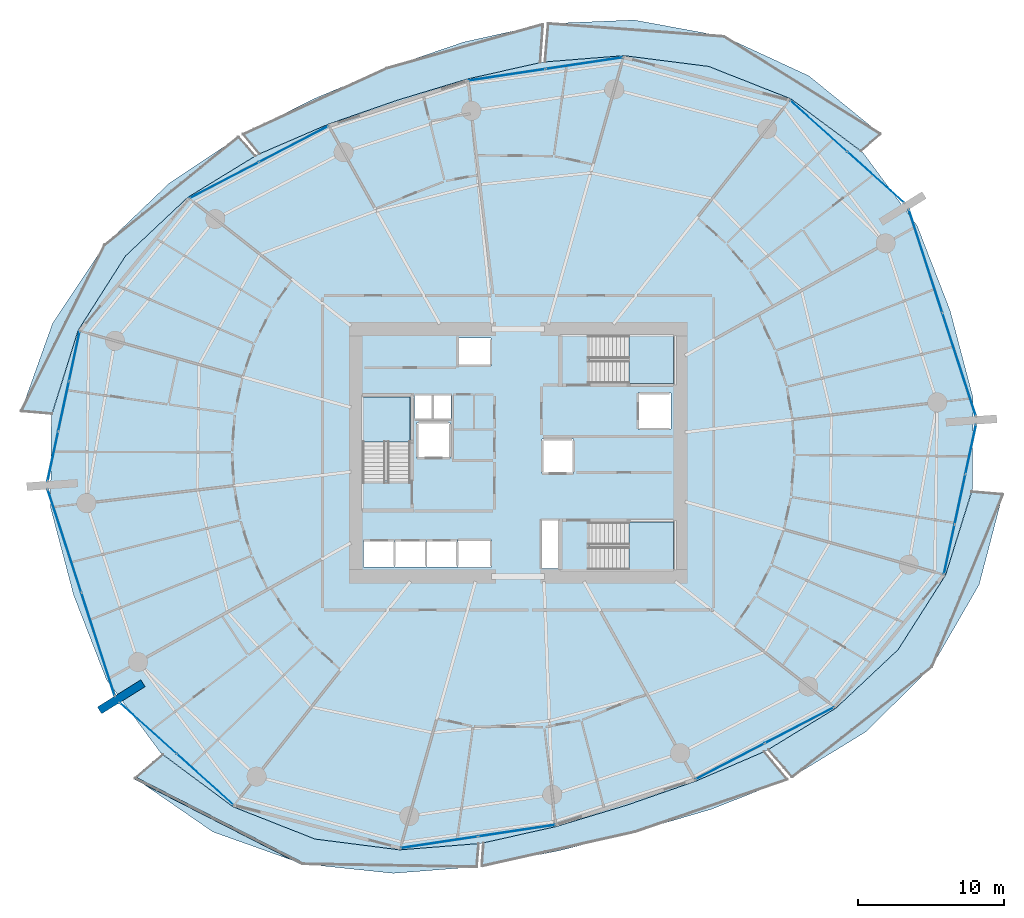
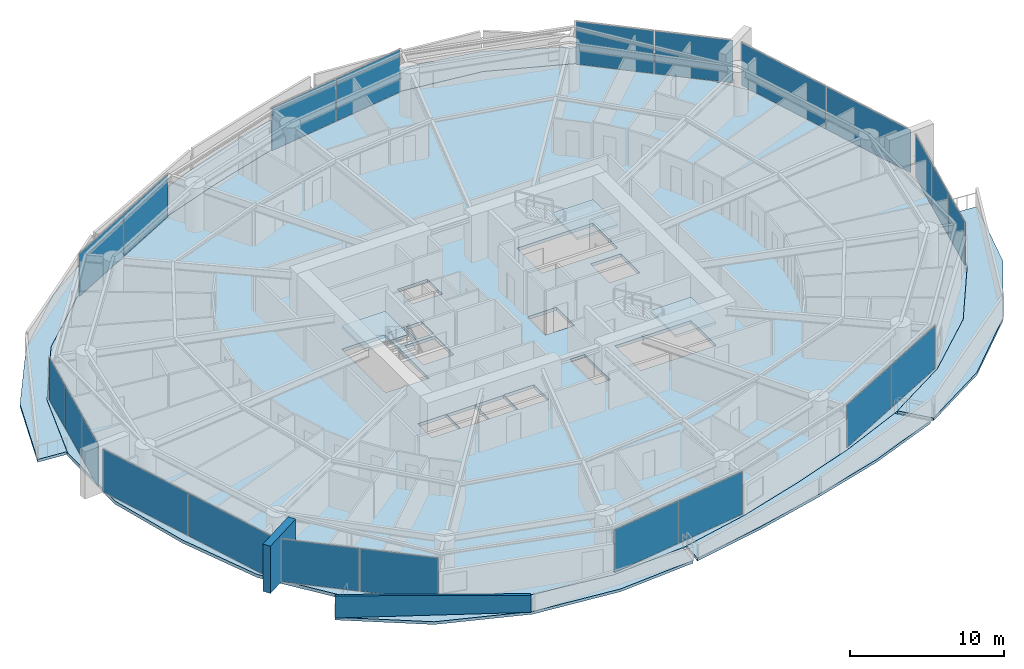
# One storey, part 18 of 32: 22 plates, 10 slabs, 2 walls, 13 elements without a shape of their own.
"""IFC4 building model written with IfcOpenShell, lengths in metres."""

from ifc_helpers import new_model, si_unit, direction, frame, frame_2d, origin, origin_2d, place, context, subcontext, project, spatial, polyline, rectangle, outline, extrude, material, layer, layer_set, type_object, element, aggregate, save


model = new_model("IFC4")

# Units and contexts
model_context = context("Model", 3, precision=1e-05, world=origin(), true_north=direction((0.0, 1.0)))
body_context = subcontext(model_context, "Body", "Model", "MODEL_VIEW")
ifc_project = project(units=[si_unit("LENGTHUNIT", "METRE"), si_unit("AREAUNIT", "SQUARE_METRE"), si_unit("VOLUMEUNIT", "CUBIC_METRE"), si_unit("PLANEANGLEUNIT", "RADIAN"), si_unit("MASSUNIT", "GRAM", prefix="KILO")], contexts=[model_context])

# Site, building, storey
site_placement = place(None, origin())
site = spatial("IfcSite", under=ifc_project, at=site_placement, CompositionType="ELEMENT")
building_placement = place(site_placement, origin())
building = spatial("IfcBuilding", under=site, at=building_placement, Name="Kazma Halo Residences", CompositionType="ELEMENT")
storey_placement = place(building_placement, frame((0.0, 0.0, 63.89990234375)))
storey = spatial("IfcBuildingStorey", under=building, at=storey_placement, Name="L15", CompositionType="ELEMENT", Elevation=63.89990234375)

# Curtain wall, plates
ifc_material_1 = material(Name="Aluminium AW-6063 T6 and Triple-Silver Low-E Glass", Category="aluminium")
ifc_layer_1 = layer(ifc_material_1, 0.159912109375)
ifc_layer_set_1 = layer_set([ifc_layer_1], Name="Aluminium AW-6063 T6 and Triple-Silver Low-E Glass")
curtain_wall_type = type_object("IfcCurtainWallType", Name="CW-SYS-2", PredefinedType="NOTDEFINED", material=ifc_layer_set_1)
curtain_wall_1_placement = place(storey_placement, origin())
curtain_wall_1 = element("IfcCurtainWall", 1, at=curtain_wall_1_placement, inside=storey, type_object=curtain_wall_type, Name="L15 unitised curtain wall B01", PredefinedType="NOTDEFINED")
ifc_material_2 = material(Name="Clear Triple-Silver Low-E Glass IGU", Category="glass")
ifc_layer_2 = layer(ifc_material_2, 0.028076171875)
ifc_layer_set_2 = layer_set([ifc_layer_2], Name="Clear Triple-Silver Low-E Glass IGU")
plate_type = type_object("IfcPlateType", Name="CW-SYS-2-PNL", PredefinedType="CURTAIN_PANEL", material=ifc_layer_set_2)
plate_1_placement = place(storey_placement, frame((72.876953125, 60.841064453125, 0.06005859375), z_axis=(0.0, 0.0, 1.0), x_axis=(-0.744321506993, 0.667821453854, 0.0)))
plate_1 = element("IfcPlate", 2, at=plate_1_placement, type_object=plate_type, Name="CWS-2 panel 1.1", PredefinedType="CURTAIN_PANEL", context=body_context, shape_type="SweptSolid", body=[
    extrude(rectangle(XDim=5.1787109375, YDim=0.028076171875, at=origin_2d()), origin(), (0.0, 0.0, 1.0), 3.3798828125),
])
plate_2_placement = place(storey_placement, frame((68.977783203125, 64.33935546875, 0.06005859375), z_axis=(0.0, 0.0, 1.0), x_axis=(-0.744321506993, 0.667821453854, 0.0)))
plate_2 = element("IfcPlate", 3, at=plate_2_placement, type_object=plate_type, Name="CWS-2 panel 2.1", PredefinedType="CURTAIN_PANEL", context=body_context, shape_type="SweptSolid", body=[
    extrude(rectangle(XDim=5.1787109375, YDim=0.028076171875, at=origin_2d()), origin(), (0.0, 0.0, 1.0), 3.3798828125),
])
aggregate(curtain_wall_1, [plate_1, plate_2])

curtain_wall_2_placement = place(storey_placement, origin())
curtain_wall_2 = element("IfcCurtainWall", 4, at=curtain_wall_2_placement, inside=storey, type_object=curtain_wall_type, Name="L15 unitised curtain wall B03", PredefinedType="NOTDEFINED")
plate_3_placement = place(storey_placement, frame((52.952392578125, 68.64013671875, 0.06005859375), z_axis=(0.0, 0.0, 1.0), x_axis=(-0.988888777994, -0.148657272805, 0.0)))
plate_3 = element("IfcPlate", 5, at=plate_3_placement, type_object=plate_type, Name="CWS-2 panel 1.1", PredefinedType="CURTAIN_PANEL", context=body_context, shape_type="SweptSolid", body=[
    extrude(rectangle(XDim=5.288818359375, YDim=0.028076171875, at=origin_2d()), origin(), (0.0, 0.0, 1.0), 3.3798828125),
])
plate_4_placement = place(storey_placement, frame((47.662841796875, 67.844970703125, 0.06005859375), z_axis=(0.0, 0.0, 1.0), x_axis=(-0.988888777994, -0.148657272805, 0.0)))
plate_4 = element("IfcPlate", 6, at=plate_4_placement, type_object=plate_type, Name="CWS-2 panel 2.1", PredefinedType="CURTAIN_PANEL", context=body_context, shape_type="SweptSolid", body=[
    extrude(rectangle(XDim=5.288818359375, YDim=0.028076171875, at=origin_2d()), origin(), (0.0, 0.0, 1.0), 3.3798828125),
])
aggregate(curtain_wall_2, [plate_3, plate_4])

curtain_wall_3_placement = place(storey_placement, origin())
curtain_wall_3 = element("IfcCurtainWall", 7, at=curtain_wall_3_placement, inside=storey, type_object=curtain_wall_type, Name="L15 unitised curtain wall B05", PredefinedType="NOTDEFINED")
plate_5_placement = place(storey_placement, frame((33.081298828125, 63.107177734375, 0.06005859375), z_axis=(0.0, 0.0, 1.0), x_axis=(-0.887402258584, -0.460995912628, 0.0)))
plate_5 = element("IfcPlate", 8, at=plate_5_placement, type_object=plate_type, Name="CWS-2 panel 1.1", PredefinedType="CURTAIN_PANEL", context=body_context, shape_type="SweptSolid", body=[
    extrude(rectangle(XDim=5.288818359375, YDim=0.028076171875, at=origin_2d()), origin(), (0.0, 0.0, 1.0), 3.3798828125),
])
plate_6_placement = place(storey_placement, frame((28.334716796875, 60.641357421875, 0.06005859375), z_axis=(0.0, 0.0, 1.0), x_axis=(-0.887402258584, -0.460995912628, 0.0)))
plate_6 = element("IfcPlate", 9, at=plate_6_placement, type_object=plate_type, Name="CWS-2 panel 2.1", PredefinedType="CURTAIN_PANEL", context=body_context, shape_type="SweptSolid", body=[
    extrude(rectangle(XDim=5.288818359375, YDim=0.028076171875, at=origin_2d()), origin(), (0.0, 0.0, 1.0), 3.3798828125),
])
aggregate(curtain_wall_3, [plate_5, plate_6])

curtain_wall_4_placement = place(storey_placement, origin())
curtain_wall_4 = element("IfcCurtainWall", 10, at=curtain_wall_4_placement, inside=storey, type_object=curtain_wall_type, Name="L15 unitised curtain wall B07", PredefinedType="NOTDEFINED")
plate_7_placement = place(storey_placement, frame((18.08203125, 48.60107421875, 0.06005859375), z_axis=(0.0, 0.0, 1.0), x_axis=(-0.209637321406, -0.977779215096, 0.0)))
plate_7 = element("IfcPlate", 11, at=plate_7_placement, type_object=plate_type, Name="CWS-2 panel 1.1", PredefinedType="CURTAIN_PANEL", context=body_context, shape_type="SweptSolid", body=[
    extrude(rectangle(XDim=3.42236328125, YDim=0.028076171875, at=origin_2d()), origin(), (0.0, 0.0, 1.0), 3.3798828125),
])
plate_8_placement = place(storey_placement, frame((17.348876953125, 45.181396484375, 0.06005859375), z_axis=(0.0, 0.0, 1.0), x_axis=(-0.209637321406, -0.977779215096, 0.0)))
plate_8 = element("IfcPlate", 12, at=plate_8_placement, type_object=plate_type, Name="CWS-2 panel 2.1", PredefinedType="CURTAIN_PANEL", context=body_context, shape_type="SweptSolid", body=[
    extrude(rectangle(XDim=3.452392578125, YDim=0.028076171875, at=origin_2d()), origin(), (0.0, 0.0, 1.0), 3.3798828125),
])
plate_9_placement = place(storey_placement, frame((16.61572265625, 41.76171875, 0.06005859375), z_axis=(0.0, 0.0, 1.0), x_axis=(-0.209637321406, -0.977779215096, 0.0)))
plate_9 = element("IfcPlate", 13, at=plate_9_placement, type_object=plate_type, Name="CWS-2 panel 3.1", PredefinedType="CURTAIN_PANEL", context=body_context, shape_type="SweptSolid", body=[
    extrude(rectangle(XDim=3.42236328125, YDim=0.028076171875, at=origin_2d()), origin(), (0.0, 0.0, 1.0), 3.3798828125),
])
aggregate(curtain_wall_4, [plate_7, plate_8, plate_9])

curtain_wall_5_placement = place(storey_placement, origin())
curtain_wall_5 = element("IfcCurtainWall", 14, at=curtain_wall_5_placement, inside=storey, type_object=curtain_wall_type, Name="L15 unitised curtain wall B08", PredefinedType="NOTDEFINED")
plate_10_placement = place(storey_placement, frame((17.409912109375, 35.96728515625, 0.06005859375), z_axis=(0.0, 0.0, 1.0), x_axis=(0.309016970539, -0.95105652404, 0.0)))
plate_10 = element("IfcPlate", 15, at=plate_10_placement, type_object=plate_type, Name="CWS-2 panel 1.1", PredefinedType="CURTAIN_PANEL", context=body_context, shape_type="SweptSolid", body=[
    extrude(rectangle(XDim=7.370849609375, YDim=0.028076171875, at=origin_2d()), origin(), (0.0, 0.0, 1.0), 3.3798828125),
])
plate_11_placement = place(storey_placement, frame((19.7060546875, 28.900146484375, 0.06005859375), z_axis=(0.0, 0.0, 1.0), x_axis=(0.309016970539, -0.95105652404, 0.0)))
plate_11 = element("IfcPlate", 16, at=plate_11_placement, type_object=plate_type, Name="CWS-2 panel 2.1", PredefinedType="CURTAIN_PANEL", context=body_context, shape_type="SweptSolid", body=[
    extrude(rectangle(XDim=7.370849609375, YDim=0.028076171875, at=origin_2d()), origin(), (0.0, 0.0, 1.0), 3.3798828125),
])
aggregate(curtain_wall_5, [plate_10, plate_11])

curtain_wall_6_placement = place(storey_placement, origin())
curtain_wall_6 = element("IfcCurtainWall", 17, at=curtain_wall_6_placement, inside=storey, type_object=curtain_wall_type, Name="L15 unitised curtain wall B09", PredefinedType="NOTDEFINED")
plate_12_placement = place(storey_placement, frame((23.123046875, 23.158935546875, 0.06005859375), z_axis=(0.0, 0.0, 1.0), x_axis=(0.744321506993, -0.667821453854, 0.0)))
plate_12 = element("IfcPlate", 18, at=plate_12_placement, type_object=plate_type, Name="CWS-2 panel 1.1", PredefinedType="CURTAIN_PANEL", context=body_context, shape_type="SweptSolid", body=[
    extrude(rectangle(XDim=5.1787109375, YDim=0.028076171875, at=origin_2d()), origin(), (0.0, 0.0, 1.0), 3.3798828125),
])
plate_13_placement = place(storey_placement, frame((27.022216796875, 19.66064453125, 0.06005859375), z_axis=(0.0, 0.0, 1.0), x_axis=(0.744321506993, -0.667821453854, 0.0)))
plate_13 = element("IfcPlate", 19, at=plate_13_placement, type_object=plate_type, Name="CWS-2 panel 2.1", PredefinedType="CURTAIN_PANEL", context=body_context, shape_type="SweptSolid", body=[
    extrude(rectangle(XDim=5.1787109375, YDim=0.028076171875, at=origin_2d()), origin(), (0.0, 0.0, 1.0), 3.3798828125),
])
aggregate(curtain_wall_6, [plate_12, plate_13])

curtain_wall_7_placement = place(storey_placement, origin())
curtain_wall_7 = element("IfcCurtainWall", 20, at=curtain_wall_7_placement, inside=storey, type_object=curtain_wall_type, Name="L15 unitised curtain wall B11", PredefinedType="NOTDEFINED")
plate_14_placement = place(storey_placement, frame((43.047607421875, 15.35986328125, 0.06005859375), z_axis=(0.0, 0.0, 1.0), x_axis=(0.988888777994, 0.148657272805, 0.0)))
plate_14 = element("IfcPlate", 21, at=plate_14_placement, type_object=plate_type, Name="CWS-2 panel 1.1", PredefinedType="CURTAIN_PANEL", context=body_context, shape_type="SweptSolid", body=[
    extrude(rectangle(XDim=5.288818359375, YDim=0.028076171875, at=origin_2d()), origin(), (0.0, 0.0, 1.0), 3.3798828125),
])
plate_15_placement = place(storey_placement, frame((48.337158203125, 16.155029296875, 0.06005859375), z_axis=(0.0, 0.0, 1.0), x_axis=(0.988888777994, 0.148657272805, 0.0)))
plate_15 = element("IfcPlate", 22, at=plate_15_placement, type_object=plate_type, Name="CWS-2 panel 2.1", PredefinedType="CURTAIN_PANEL", context=body_context, shape_type="SweptSolid", body=[
    extrude(rectangle(XDim=5.288818359375, YDim=0.028076171875, at=origin_2d()), origin(), (0.0, 0.0, 1.0), 3.3798828125),
])
aggregate(curtain_wall_7, [plate_14, plate_15])

curtain_wall_8_placement = place(storey_placement, origin())
curtain_wall_8 = element("IfcCurtainWall", 23, at=curtain_wall_8_placement, inside=storey, type_object=curtain_wall_type, Name="L15 unitised curtain wall B13", PredefinedType="NOTDEFINED")
plate_16_placement = place(storey_placement, frame((62.918701171875, 20.892822265625, 0.06005859375), z_axis=(0.0, 0.0, 1.0), x_axis=(0.887402258584, 0.460995912628, 0.0)))
plate_16 = element("IfcPlate", 24, at=plate_16_placement, type_object=plate_type, Name="CWS-2 panel 1.1", PredefinedType="CURTAIN_PANEL", context=body_context, shape_type="SweptSolid", body=[
    extrude(rectangle(XDim=5.288818359375, YDim=0.028076171875, at=origin_2d()), origin(), (0.0, 0.0, 1.0), 3.3798828125),
])
plate_17_placement = place(storey_placement, frame((67.665283203125, 23.358642578125, 0.06005859375), z_axis=(0.0, 0.0, 1.0), x_axis=(0.887402258584, 0.460995912628, 0.0)))
plate_17 = element("IfcPlate", 25, at=plate_17_placement, type_object=plate_type, Name="CWS-2 panel 2.1", PredefinedType="CURTAIN_PANEL", context=body_context, shape_type="SweptSolid", body=[
    extrude(rectangle(XDim=5.288818359375, YDim=0.028076171875, at=origin_2d()), origin(), (0.0, 0.0, 1.0), 3.3798828125),
])
aggregate(curtain_wall_8, [plate_16, plate_17])

curtain_wall_9_placement = place(storey_placement, origin())
curtain_wall_9 = element("IfcCurtainWall", 26, at=curtain_wall_9_placement, inside=storey, type_object=curtain_wall_type, Name="L15 unitised curtain wall B15", PredefinedType="NOTDEFINED")
plate_18_placement = place(storey_placement, frame((77.91796875, 35.39892578125, 0.06005859375), z_axis=(0.0, 0.0, 1.0), x_axis=(0.209637321406, 0.977779215096, 0.0)))
plate_18 = element("IfcPlate", 27, at=plate_18_placement, type_object=plate_type, Name="CWS-2 panel 1.1", PredefinedType="CURTAIN_PANEL", context=body_context, shape_type="SweptSolid", body=[
    extrude(rectangle(XDim=3.42236328125, YDim=0.028076171875, at=origin_2d()), origin(), (0.0, 0.0, 1.0), 3.3798828125),
])
plate_19_placement = place(storey_placement, frame((78.651123046875, 38.818603515625, 0.06005859375), z_axis=(0.0, 0.0, 1.0), x_axis=(0.209637321406, 0.977779215096, 0.0)))
plate_19 = element("IfcPlate", 28, at=plate_19_placement, type_object=plate_type, Name="CWS-2 panel 2.1", PredefinedType="CURTAIN_PANEL", context=body_context, shape_type="SweptSolid", body=[
    extrude(rectangle(XDim=3.452392578125, YDim=0.028076171875, at=origin_2d()), origin(), (0.0, 0.0, 1.0), 3.3798828125),
])
plate_20_placement = place(storey_placement, frame((79.38427734375, 42.23828125, 0.06005859375), z_axis=(0.0, 0.0, 1.0), x_axis=(0.209637321406, 0.977779215096, 0.0)))
plate_20 = element("IfcPlate", 29, at=plate_20_placement, type_object=plate_type, Name="CWS-2 panel 3.1", PredefinedType="CURTAIN_PANEL", context=body_context, shape_type="SweptSolid", body=[
    extrude(rectangle(XDim=3.42236328125, YDim=0.028076171875, at=origin_2d()), origin(), (0.0, 0.0, 1.0), 3.3798828125),
])
aggregate(curtain_wall_9, [plate_18, plate_19, plate_20])

curtain_wall_10_placement = place(storey_placement, origin())
curtain_wall_10 = element("IfcCurtainWall", 30, at=curtain_wall_10_placement, inside=storey, type_object=curtain_wall_type, Name="L15 unitised curtain wall B16", PredefinedType="NOTDEFINED")
plate_21_placement = place(storey_placement, frame((78.590087890625, 48.03271484375, 0.06005859375), z_axis=(0.0, 0.0, 1.0), x_axis=(-0.309016970539, 0.95105652404, 0.0)))
plate_21 = element("IfcPlate", 31, at=plate_21_placement, type_object=plate_type, Name="CWS-2 panel 1.1", PredefinedType="CURTAIN_PANEL", context=body_context, shape_type="SweptSolid", body=[
    extrude(rectangle(XDim=7.370849609375, YDim=0.028076171875, at=origin_2d()), origin(), (0.0, 0.0, 1.0), 3.3798828125),
])
plate_22_placement = place(storey_placement, frame((76.2939453125, 55.099853515625, 0.06005859375), z_axis=(0.0, 0.0, 1.0), x_axis=(-0.309016970539, 0.95105652404, 0.0)))
plate_22 = element("IfcPlate", 32, at=plate_22_placement, type_object=plate_type, Name="CWS-2 panel 2.1", PredefinedType="CURTAIN_PANEL", context=body_context, shape_type="SweptSolid", body=[
    extrude(rectangle(XDim=7.370849609375, YDim=0.028076171875, at=origin_2d()), origin(), (0.0, 0.0, 1.0), 3.3798828125),
])
aggregate(curtain_wall_10, [plate_21, plate_22])

# Slabs
ifc_material_3 = material(Name="White Concrete C50/60", Category="concrete")
ifc_layer_3 = layer(ifc_material_3, 0.219970703125)
ifc_layer_set_3 = layer_set([ifc_layer_3], Name="White Concrete C50/60")
slab_type_1 = type_object("IfcSlabType", Name="SLB-BAL-WAVE-210", PredefinedType="FLOOR", material=ifc_layer_set_3)
slab_1_placement = place(storey_placement, frame((0.0, 0.0, -0.219970703125)))
element("IfcSlab", 33, at=slab_1_placement, inside=storey, type_object=slab_type_1, Name="L15 NE cantilevered wave balcony slab", PredefinedType="FLOOR", context=body_context, shape_type="SweptSolid", body=[
    extrude(outline(polyline([(71.875732421875, 62.645263671875), (67.081298828125, 66.20458984375), (61.461669921875, 68.420166015625), (55.659912109375, 69.15966796875), (50.26806640625, 68.729736328125), (50.490478515625, 71.350830078125), (56.3466796875, 71.594970703125), (62.50439453125, 70.466796875), (68.3173828125, 67.7724609375), (73.20751953125, 63.797119140625), (71.875732421875, 62.645263671875)])), origin(), (0.0, 0.0, 1.0), 0.219970703125),
])
slab_2_placement = place(storey_placement, frame((0.0, 0.0, -0.219970703125)))
element("IfcSlab", 34, at=slab_2_placement, inside=storey, type_object=slab_type_1, Name="L15 NNW cantilevered wave balcony slab", PredefinedType="FLOOR", context=body_context, shape_type="SweptSolid", body=[
    extrude(outline(polyline([(49.935791015625, 68.679931640625), (44.974365234375, 67.564208984375), (40.165771484375, 66.111083984375), (35.421630859375, 64.460205078125), (30.751708984375, 62.44677734375), (29.626708984375, 63.7802734375), (34.446044921875, 66.202392578125), (39.4560546875, 68.2958984375), (44.677001953125, 70.076904296875), (50.125732421875, 71.298583984375), (49.935791015625, 68.679931640625)])), origin(), (0.0, 0.0, 1.0), 0.219970703125),
])
slab_3_placement = place(storey_placement, frame((0.0, 0.0, -0.219970703125)))
element("IfcSlab", 35, at=slab_3_placement, inside=storey, type_object=slab_type_1, Name="L15 NW cantilevered wave balcony slab", PredefinedType="FLOOR", context=body_context, shape_type="SweptSolid", body=[
    extrude(outline(polyline([(30.453857421875, 62.29150390625), (25.839111328125, 59.47021484375), (21.579833984375, 55.461669921875), (18.3359375, 50.3662109375), (16.54931640625, 44.668701171875), (14.444580078125, 44.84716796875), (16.5947265625, 50.857177734375), (20.138671875, 56.196044921875), (24.592041015625, 60.453369140625), (29.318115234375, 63.60498046875), (30.453857421875, 62.29150390625)])), origin(), (0.0, 0.0, 1.0), 0.219970703125),
])
slab_4_placement = place(storey_placement, frame((0.0, 0.0, -0.219970703125)))
element("IfcSlab", 36, at=slab_4_placement, inside=storey, type_object=slab_type_1, Name="L15 SW cantilevered wave balcony slab", PredefinedType="FLOOR", context=body_context, shape_type="SweptSolid", body=[
    extrude(outline(polyline([(24.124267578125, 21.354736328125), (28.918701171875, 17.79541015625), (34.538330078125, 15.579833984375), (40.340087890625, 14.84033203125), (45.73193359375, 15.270263671875), (45.597412109375, 13.685302734375), (39.88818359375, 13.2373046875), (33.676025390625, 13.8876953125), (27.556884765625, 16.068115234375), (22.246337890625, 19.730712890625), (24.124267578125, 21.354736328125)])), origin(), (0.0, 0.0, 1.0), 0.219970703125),
])
slab_5_placement = place(storey_placement, frame((0.0, 0.0, -0.219970703125)))
element("IfcSlab", 37, at=slab_5_placement, inside=storey, type_object=slab_type_1, Name="L15 SSE cantilevered wave balcony slab", PredefinedType="FLOOR", context=body_context, shape_type="SweptSolid", body=[
    extrude(outline(polyline([(46.064208984375, 15.320068359375), (51.025634765625, 16.435791015625), (55.834228515625, 17.888916015625), (60.578369140625, 19.539794921875), (65.248291015625, 21.55322265625), (66.838623046875, 19.668212890625), (61.653076171875, 17.62060546875), (56.4208984375, 16.082763671875), (51.221435546875, 14.78173828125), (45.949462890625, 13.738525390625), (46.064208984375, 15.320068359375)])), origin(), (0.0, 0.0, 1.0), 0.219970703125),
])
slab_6_placement = place(storey_placement, frame((0.0, 0.0, -0.219970703125)))
element("IfcSlab", 38, at=slab_6_placement, inside=storey, type_object=slab_type_1, Name="L15 SE cantilevered wave balcony slab", PredefinedType="FLOOR", context=body_context, shape_type="SweptSolid", body=[
    extrude(outline(polyline([(65.546142578125, 21.70849609375), (70.160888671875, 24.52978515625), (74.420166015625, 28.538330078125), (77.6640625, 33.6337890625), (79.45068359375, 39.331298828125), (81.574462890625, 39.151123046875), (79.96142578125, 32.98583984375), (76.717529296875, 27.36767578125), (72.208984375, 22.9150390625), (67.171630859375, 19.82861328125), (65.546142578125, 21.70849609375)])), origin(), (0.0, 0.0, 1.0), 0.219970703125),
])
ifc_material_4 = material(Name="Concrete C50/60", Category="concrete")
ifc_layer_4 = layer(ifc_material_4, 0.25)
ifc_layer_set_4 = layer_set([ifc_layer_4], Name="Concrete C50/60")
slab_type_2 = type_object("IfcSlabType", Name="SLB-RES-250", PredefinedType="FLOOR", material=ifc_layer_set_4)
slab_7_placement = place(storey_placement, frame((0.0, 0.0, -0.25)))
element("IfcSlab", 39, at=slab_7_placement, inside=storey, type_object=slab_type_2, Name="L15 structural floor slab", PredefinedType="FLOOR", context=body_context, shape_type="SweptSolid", body=[
    extrude(outline(polyline([(77.9677734375, 51.737060546875), (75.719970703125, 57.52392578125), (72.02099609375, 62.51611328125), (67.080078125, 66.202880859375), (61.460693359375, 68.418212890625), (55.6591796875, 69.15771484375), (50.102294921875, 68.713134765625), (44.974609375, 67.562255859375), (40.16650390625, 66.109375), (35.422607421875, 64.45849609375), (30.597412109375, 62.375732421875), (25.8408203125, 59.468994140625), (21.581787109375, 55.460693359375), (18.337890625, 50.365478515625), (16.507568359375, 44.478515625), (16.449462890625, 38.265625), (18.0322265625, 32.262939453125), (20.280029296875, 26.47607421875), (23.97900390625, 21.48388671875), (28.919921875, 17.797119140625), (34.539306640625, 15.581787109375), (40.3408203125, 14.84228515625), (45.897705078125, 15.286865234375), (51.025390625, 16.437744140625), (55.83349609375, 17.890625), (60.577392578125, 19.54150390625), (65.402587890625, 21.624267578125), (70.1591796875, 24.531005859375), (74.418212890625, 28.539306640625), (77.662109375, 33.634521484375), (79.492431640625, 39.521484375), (79.550537109375, 45.734375), (77.9677734375, 51.737060546875)]), holes=[polyline([(37.800048828125, 40.110107421875), (41.050048828125, 40.110107421875), (41.050048828125, 45.800048828125), (37.800048828125, 45.800048828125), (37.800048828125, 40.110107421875)]), polyline([(53.360107421875, 46.75), (59.050048828125, 46.75), (59.050048828125, 50.0), (53.360107421875, 50.0), (53.360107421875, 46.75)]), polyline([(53.360107421875, 34.0), (59.050048828125, 34.0), (59.050048828125, 37.25), (53.360107421875, 37.25), (53.360107421875, 34.0)]), polyline([(41.52001953125, 41.6201171875), (43.780029296875, 41.6201171875), (43.780029296875, 44.080078125), (41.52001953125, 44.080078125), (41.52001953125, 41.6201171875)]), polyline([(56.6201171875, 43.6201171875), (58.8798828125, 43.6201171875), (58.8798828125, 46.080078125), (56.6201171875, 46.080078125), (56.6201171875, 43.6201171875)]), polyline([(37.864990234375, 34.195068359375), (39.97509765625, 34.195068359375), (39.97509765625, 36.0048828125), (37.864990234375, 36.0048828125), (37.864990234375, 34.195068359375)]), polyline([(40.014892578125, 34.195068359375), (42.125, 34.195068359375), (42.125, 36.0048828125), (40.014892578125, 36.0048828125), (40.014892578125, 34.195068359375)]), polyline([(42.1650390625, 34.195068359375), (44.27490234375, 34.195068359375), (44.27490234375, 36.0048828125), (42.1650390625, 36.0048828125), (42.1650390625, 34.195068359375)]), polyline([(44.320068359375, 47.945068359375), (46.580078125, 47.945068359375), (46.580078125, 49.85498046875), (44.320068359375, 49.85498046875), (44.320068359375, 47.945068359375)]), polyline([(44.320068359375, 34.14501953125), (46.580078125, 34.14501953125), (46.580078125, 36.054931640625), (44.320068359375, 36.054931640625), (44.320068359375, 34.14501953125)]), polyline([(50.070068359375, 40.570068359375), (52.22998046875, 40.570068359375), (52.22998046875, 42.929931640625), (50.070068359375, 42.929931640625), (50.070068359375, 40.570068359375)]), polyline([(41.360107421875, 44.340087890625), (42.5400390625, 44.340087890625), (42.5400390625, 45.89990234375), (41.360107421875, 45.89990234375), (41.360107421875, 44.340087890625)]), polyline([(42.659912109375, 44.340087890625), (43.840087890625, 44.340087890625), (43.840087890625, 45.89990234375), (42.659912109375, 45.89990234375), (42.659912109375, 44.340087890625)]), polyline([(50.06005859375, 34.080078125), (51.159912109375, 34.080078125), (51.159912109375, 37.3798828125), (50.06005859375, 37.3798828125), (50.06005859375, 34.080078125)])]), origin(), (0.0, 0.0, 1.0), 0.25),
])

# Stair, slab
stair_type = type_object("IfcStairType", Name="STR-RES1", PredefinedType="HALF_TURN_STAIR", material=ifc_material_4)
stair_1_placement = place(storey_placement, origin())
stair_1 = element("IfcStair", 40, at=stair_1_placement, inside=storey, type_object=stair_type, Name="L15 Core exit stair ST-01", PredefinedType="HALF_TURN_STAIR")
ifc_layer_5 = layer(ifc_material_4, 0.199951171875)
ifc_layer_set_5 = layer_set([ifc_layer_5], Name="Concrete C50/60")
slab_type_3 = type_object("IfcSlabType", Name="SLB-STAIR-LND-200", PredefinedType="LANDING", material=ifc_layer_set_5)
slab_8_placement = place(storey_placement, frame((0.0, 0.0, 1.675048828125)))
slab_8 = element("IfcSlab", 41, at=slab_8_placement, type_object=slab_type_3, Name="ST-01 landing 1", PredefinedType="LANDING", context=body_context, shape_type="SweptSolid", body=[
    extrude(outline(polyline([(41.050048828125, 42.75), (41.050048828125, 45.800048828125), (37.800048828125, 45.800048828125), (37.800048828125, 42.75), (41.050048828125, 42.75)])), origin(), (0.0, 0.0, 1.0), 0.199951171875),
])
aggregate(stair_1, [slab_8])

stair_2_placement = place(storey_placement, origin())
stair_2 = element("IfcStair", 42, at=stair_2_placement, inside=storey, type_object=stair_type, Name="L15 Core exit stair ST-02", PredefinedType="HALF_TURN_STAIR")
slab_9_placement = place(storey_placement, frame((0.0, 0.0, 1.675048828125)))
slab_9 = element("IfcSlab", 43, at=slab_9_placement, type_object=slab_type_3, Name="ST-02 landing 1", PredefinedType="LANDING", context=body_context, shape_type="SweptSolid", body=[
    extrude(outline(polyline([(56.0, 46.75), (59.050048828125, 46.75), (59.050048828125, 50.0), (56.0, 50.0), (56.0, 46.75)])), origin(), (0.0, 0.0, 1.0), 0.199951171875),
])
aggregate(stair_2, [slab_9])

stair_3_placement = place(storey_placement, origin())
stair_3 = element("IfcStair", 44, at=stair_3_placement, inside=storey, type_object=stair_type, Name="L15 Core exit stair ST-03", PredefinedType="HALF_TURN_STAIR")
slab_10_placement = place(storey_placement, frame((0.0, 0.0, 1.675048828125)))
slab_10 = element("IfcSlab", 45, at=slab_10_placement, type_object=slab_type_3, Name="ST-03 landing 1", PredefinedType="LANDING", context=body_context, shape_type="SweptSolid", body=[
    extrude(outline(polyline([(56.0, 34.0), (59.050048828125, 34.0), (59.050048828125, 37.25), (56.0, 37.25), (56.0, 34.0)])), origin(), (0.0, 0.0, 1.0), 0.199951171875),
])
aggregate(stair_3, [slab_10])

# Walls
ifc_material_5 = material(Name="White Concrete C50/60 Balustrade", Category="concrete")
ifc_layer_6 = layer(ifc_material_5, 0.179931640625)
ifc_layer_set_6 = layer_set([ifc_layer_6], Name="White Concrete C50/60 Balustrade")
wall_type_1 = type_object("IfcWallType", Name="WL-BAL-WAVE-180", PredefinedType="PARAPET", material=ifc_layer_set_6)
wall_1_placement = place(storey_placement, frame((22.246337890625, 19.730712890625, 0.0), z_axis=(0.0, 0.0, 1.0), x_axis=(0.890402176463, -0.455174652359, 0.0)))
element("IfcWall", 46, at=wall_1_placement, inside=storey, type_object=wall_type_1, Name="L15 white wave balustrade wall SW.1", PredefinedType="PARAPET", context=body_context, shape_type="SweptSolid", body=[
    extrude(outline(polyline([(0.0, 0.0), (12.716796875, 0.0), (12.716796875, 1.34814453125), (6.3583984375, 1.56201171875), (0.0, 1.7470703125), (0.0, 0.0)])), frame((0.0, 0.08984375, 0.0), z_axis=(0.0, -1.0, 0.0), x_axis=(1.0, 0.0, 0.0)), (0.0, 0.0, 1.0), 0.179931640625),
])
ifc_material_6 = material(Name="Pale Concrete C60/75", Category="concrete")
ifc_layer_7 = layer(ifc_material_6, 0.550048828125)
ifc_layer_set_7 = layer_set([ifc_layer_7], Name="Pale Concrete C60/75")
wall_type_2 = type_object("IfcWallType", Name="WL-BLADE-550", PredefinedType="SOLIDWALL", material=ifc_layer_set_7)
wall_2_placement = place(storey_placement, frame((22.770263671875, 26.234619140625, 0.0), z_axis=(0.0, 0.0, 1.0), x_axis=(-0.848053161125, -0.529911158502, 0.0)))
element("IfcWall", 47, at=wall_2_placement, inside=storey, type_object=wall_type_2, Name="L15 pale concrete structural blade fin wall BW-03", PredefinedType="SOLIDWALL", context=body_context, shape_type="SweptSolid", body=[
    extrude(rectangle(XDim=3.5, YDim=0.550048828125, at=frame_2d((1.75, 0.0))), origin(), (0.0, 0.0, 1.0), 3.75),
])

save(model, "model.ifc")
